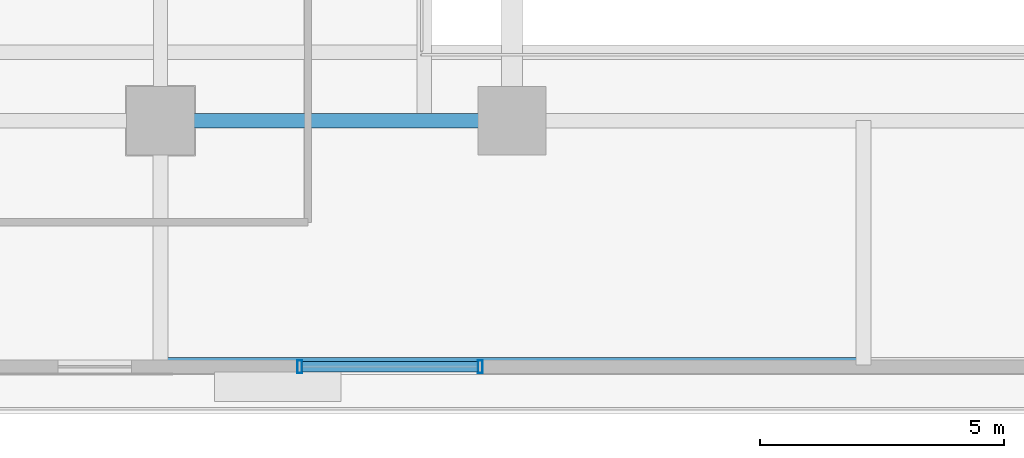
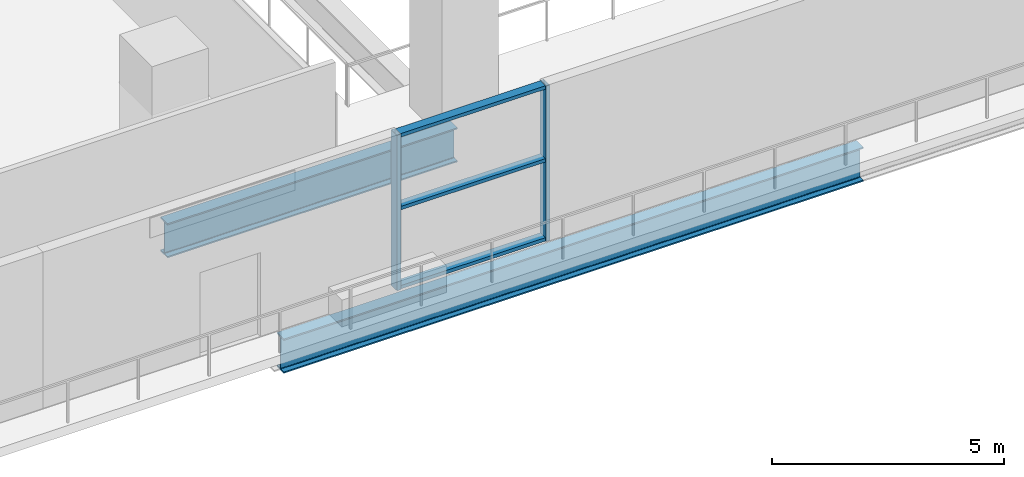
# One storey, part 2 of 23: 5 members, 2 beams, 1 element without a shape of its own.
"""IFC4 building model written with IfcOpenShell, lengths in metres."""

from ifc_helpers import new_model, si_unit, direction, frame, origin, origin_2d, place, context, subcontext, project, spatial, hollow_rectangle, i_section, extrude, source, transform, mapped, material, layer, layer_set, material_profile, profile_set, type_object, element, aggregate, save


model = new_model("IFC4")

# Units and contexts
model_context = context("Model", 3, precision=1e-05, world=origin(), true_north=direction((0.0, 1.0)))
body_context = subcontext(model_context, "Body", "Model", "MODEL_VIEW")
ifc_project = project(units=[si_unit("LENGTHUNIT", "METRE"), si_unit("AREAUNIT", "SQUARE_METRE"), si_unit("VOLUMEUNIT", "CUBIC_METRE"), si_unit("PLANEANGLEUNIT", "RADIAN"), si_unit("MASSUNIT", "GRAM", prefix="KILO")], contexts=[model_context])

# Site, building, storey
site_placement = place(None, origin())
site = spatial("IfcSite", under=ifc_project, at=site_placement, CompositionType="ELEMENT")
building_placement = place(site_placement, origin())
building = spatial("IfcBuilding", under=site, at=building_placement, Name="Zarnakvel Exchange Tower", CompositionType="ELEMENT")
storey_placement = place(building_placement, frame((0.0, 0.0, 13.800048828125)))
storey = spatial("IfcBuildingStorey", under=building, at=storey_placement, Name="L03", CompositionType="ELEMENT", Elevation=13.800048828125)

# Beams
ifc_material_1 = material(Name="Steel S355", Category="steel")
ifc_material_profile_1 = material_profile(ifc_material_1, i_section(OverallWidth=0.300048828125, OverallDepth=0.89990234375, WebThickness=0.0185546875, FlangeThickness=0.034912109375, FilletRadius=0.030029296875, at=origin_2d()))
ifc_profile_set_1 = profile_set([ifc_material_profile_1], Name="Steel S355")
beam_type = type_object("IfcBeamType", Name="G-01", PredefinedType="BEAM", material=ifc_profile_set_1)
beam_1_placement = place(storey_placement, frame((-14.39990234375, -18.199951171875, -0.75), z_axis=(1.0, 0.0, 0.0), x_axis=(0.0, 1.0, 0.0)))
element("IfcBeam", 1, at=beam_1_placement, inside=storey, type_object=beam_type, Name="L03 Primary E-W Girder Y=-18.2", PredefinedType="BEAM", context=body_context, shape_type="SweptSolid", body=[
    extrude(i_section(OverallWidth=0.300048828125, OverallDepth=0.89990234375, WebThickness=0.0185546875, FlangeThickness=0.034912109375, FilletRadius=0.030029296875, at=origin_2d()), origin(), (0.0, 0.0, 1.0), 7.199951171875),
])
beam_2_placement = place(storey_placement, frame((-14.39990234375, -23.199951171875, -0.75), z_axis=(1.0, 0.0, 0.0), x_axis=(0.0, 1.0, 0.0)))
element("IfcBeam", 2, at=beam_2_placement, inside=storey, type_object=beam_type, Name="L03 Primary E-W Girder Y=-23.2", PredefinedType="BEAM", context=body_context, shape_type="SweptSolid", body=[
    extrude(i_section(OverallWidth=0.300048828125, OverallDepth=0.89990234375, WebThickness=0.0185546875, FlangeThickness=0.034912109375, FilletRadius=0.030029296875, at=origin_2d()), origin(), (0.0, 0.0, 1.0), 14.39990234375),
])

# Curtain wall, members
ifc_material_2 = material(Name="Architectural Bronze Anodised Aluminium", Category="aluminium")
ifc_layer = layer(ifc_material_2, 0.260009765625)
ifc_layer_set = layer_set([ifc_layer], Name="Architectural Bronze Anodised Aluminium")
curtain_wall_type = type_object("IfcCurtainWallType", Name="CW-01", PredefinedType="NOTDEFINED", material=ifc_layer_set)
curtain_wall_placement = place(storey_placement, origin())
curtain_wall = element("IfcCurtainWall", 3, at=curtain_wall_placement, inside=storey, type_object=curtain_wall_type, Name="L03 Curtain Wall CW-L03-S1 (CW-01)", PredefinedType="NOTDEFINED")
ifc_material_profile_2 = material_profile(ifc_material_2, hollow_rectangle(XDim=0.219970703125, YDim=0.090087890625, WallThickness=0.0048828125, at=origin_2d()))
ifc_profile_set_2 = profile_set([ifc_material_profile_2], Name="Architectural Bronze Anodised Aluminium")
member_type_1 = type_object("IfcMemberType", Name="CWT-01", PredefinedType="USERDEFINED", material=ifc_profile_set_2)
shared_shape_1 = source(origin(), body_context, "Body", "SweptSolid", [
    extrude(hollow_rectangle(XDim=0.219970703125, YDim=0.090087890625, WallThickness=0.0048828125, at=origin_2d()), origin(), (0.0, 0.0, 1.0), 3.60009765625),
])
member_1_placement = place(storey_placement, frame((-11.5, -23.239990234375, 0.044921875), z_axis=(1.0, 0.0, 0.0), x_axis=(0.0, 1.0, 0.0)))
member_1 = element("IfcMember", 4, at=member_1_placement, type_object=member_type_1, Name="CW-01 transom 1.1", ObjectType="TRANSOM", PredefinedType="USERDEFINED", context=body_context, shape_type="MappedRepresentation", body=[
    mapped(shared_shape_1, transform((0.0, 0.0, 0.0), x_axis=(1.0, 0.0, 0.0), y_axis=(0.0, 1.0, 0.0), z_axis=(0.0, 0.0, 1.0), scale=1.0)),
])
member_2_placement = place(storey_placement, frame((-11.5, -23.239990234375, 2.12158203125), z_axis=(1.0, 0.0, 0.0), x_axis=(0.0, 1.0, 0.0)))
member_2 = element("IfcMember", 5, at=member_2_placement, type_object=member_type_1, Name="CW-01 transom 1.2", ObjectType="TRANSOM", PredefinedType="USERDEFINED", context=body_context, shape_type="MappedRepresentation", body=[
    mapped(shared_shape_1, transform((0.0, 0.0, 0.0), x_axis=(1.0, 0.0, 0.0), y_axis=(0.0, 1.0, 0.0), z_axis=(0.0, 0.0, 1.0), scale=1.0)),
])
member_3_placement = place(storey_placement, frame((-11.5, -23.239990234375, 4.034912109375), z_axis=(1.0, 0.0, 0.0), x_axis=(0.0, 1.0, 0.0)))
member_3 = element("IfcMember", 6, at=member_3_placement, type_object=member_type_1, Name="CW-01 transom 1.3", ObjectType="TRANSOM", PredefinedType="USERDEFINED", context=body_context, shape_type="MappedRepresentation", body=[
    mapped(shared_shape_1, transform((0.0, 0.0, 0.0), x_axis=(1.0, 0.0, 0.0), y_axis=(0.0, 1.0, 0.0), z_axis=(0.0, 0.0, 1.0), scale=1.0)),
])
ifc_material_profile_3 = material_profile(ifc_material_2, hollow_rectangle(XDim=0.260009765625, YDim=0.10009765625, WallThickness=0.006103515625, at=origin_2d()))
ifc_profile_set_3 = profile_set([ifc_material_profile_3], Name="Architectural Bronze Anodised Aluminium")
member_type_2 = type_object("IfcMemberType", Name="CWM-01", PredefinedType="MULLION", material=ifc_profile_set_3)
shared_shape_2 = source(origin(), body_context, "Body", "SweptSolid", [
    extrude(hollow_rectangle(XDim=0.260009765625, YDim=0.10009765625, WallThickness=0.006103515625, at=origin_2d()), origin(), (0.0, 0.0, 1.0), 4.079833984375),
])
member_4_placement = place(storey_placement, frame((-11.550048828125, -23.239990234375, 0.0), z_axis=(0.0, 0.0, 1.0), x_axis=(0.0, 1.0, 0.0)))
member_4 = element("IfcMember", 7, at=member_4_placement, type_object=member_type_2, Name="CW-01 mullion 1", PredefinedType="MULLION", context=body_context, shape_type="MappedRepresentation", body=[
    mapped(shared_shape_2, transform((0.0, 0.0, 0.0), x_axis=(1.0, 0.0, 0.0), y_axis=(0.0, 1.0, 0.0), z_axis=(0.0, 0.0, 1.0), scale=1.0)),
])
member_5_placement = place(storey_placement, frame((-7.85009765625, -23.239990234375, 0.0), z_axis=(0.0, 0.0, 1.0), x_axis=(0.0, 1.0, 0.0)))
member_5 = element("IfcMember", 8, at=member_5_placement, type_object=member_type_2, Name="CW-01 mullion 2", PredefinedType="MULLION", context=body_context, shape_type="MappedRepresentation", body=[
    mapped(shared_shape_2, transform((0.0, 0.0, 0.0), x_axis=(1.0, 0.0, 0.0), y_axis=(0.0, 1.0, 0.0), z_axis=(0.0, 0.0, 1.0), scale=1.0)),
])
aggregate(curtain_wall, [member_4, member_5, member_1, member_2, member_3])

save(model, "model.ifc")
